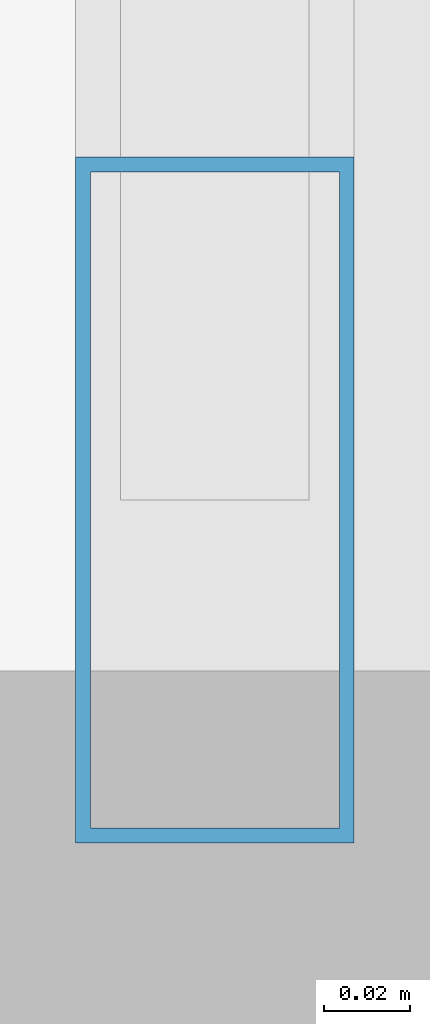
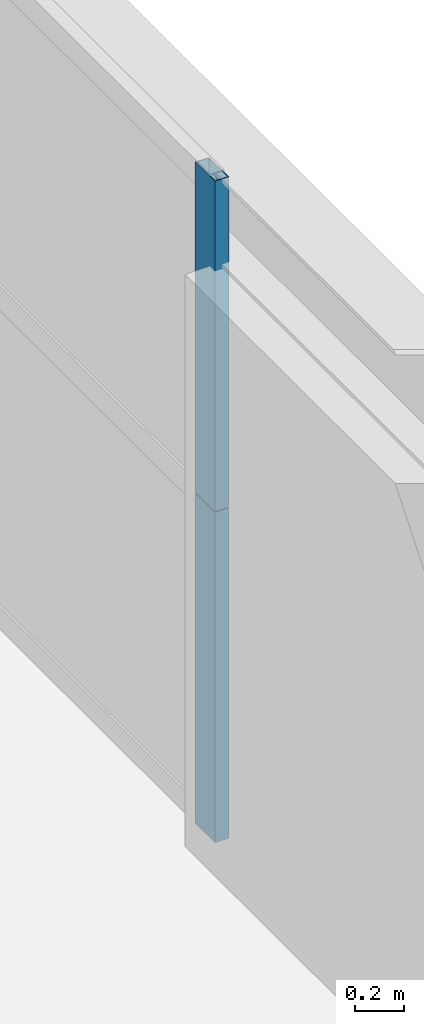
# One storey, part 15 of 35: 2 members, 1 element without a shape of its own.
"""IFC4 building model written with IfcOpenShell, lengths in metres."""

from ifc_helpers import new_model, si_unit, direction, frame, origin, origin_2d, place, context, subcontext, project, spatial, hollow_rectangle, extrude, source, transform, mapped, material, layer, layer_set, material_profile, profile_set, type_object, element, aggregate, save


model = new_model("IFC4")

# Units and contexts
model_context = context("Model", 3, precision=1e-05, world=origin(), true_north=direction((0.0, 1.0)))
body_context = subcontext(model_context, "Body", "Model", "MODEL_VIEW")
ifc_project = project(units=[si_unit("LENGTHUNIT", "METRE"), si_unit("AREAUNIT", "SQUARE_METRE"), si_unit("VOLUMEUNIT", "CUBIC_METRE"), si_unit("PLANEANGLEUNIT", "RADIAN"), si_unit("MASSUNIT", "GRAM", prefix="KILO"), si_unit("THERMODYNAMICTEMPERATUREUNIT", "KELVIN"), si_unit("POWERUNIT", "WATT")], contexts=[model_context])

# Site, building, storey
site_placement = place(None, origin())
site = spatial("IfcSite", under=ifc_project, at=site_placement, CompositionType="ELEMENT")
building_placement = place(site_placement, origin())
building = spatial("IfcBuilding", under=site, at=building_placement, Name="Yuzanri Waterfront Tower", CompositionType="ELEMENT")
storey_placement = place(building_placement, frame((0.0, 0.0, 248.60009765625)))
storey = spatial("IfcBuildingStorey", under=building, at=storey_placement, Name="L66", CompositionType="ELEMENT", Elevation=248.60009765625)

# Curtain wall, members
ifc_material_1 = material(Name="Anodized Architectural Bronze", Category="metal")
ifc_layer = layer(ifc_material_1, 0.159912109375)
ifc_layer_set = layer_set([ifc_layer], Name="Anodized Architectural Bronze")
curtain_wall_type = type_object("IfcCurtainWallType", Name="Anodized Bronze Mid-Rise Residential Acoustic Unitized Curtain Wall 7200", PredefinedType="NOTDEFINED", material=ifc_layer_set)
curtain_wall_placement = place(storey_placement, origin())
curtain_wall = element("IfcCurtainWall", 1, at=curtain_wall_placement, inside=storey, type_object=curtain_wall_type, Name="L66 Curtain Wall CW-L66-EL1", PredefinedType="NOTDEFINED")
ifc_material_2 = material(Name="Anodized Architectural Bronze", Category="metal")
ifc_material_profile = material_profile(ifc_material_2, hollow_rectangle(XDim=0.06494140625, YDim=0.159912109375, WallThickness=0.00341796875, at=origin_2d()), Name="CWM 65x160")
ifc_profile_set = profile_set([ifc_material_profile], Name="Anodized Architectural Bronze")
member_type = type_object("IfcMemberType", Name="Anodized Bronze Upper-Zone Curtain-Wall Mullion 65x160", PredefinedType="MULLION", material=ifc_profile_set)
shared_shape = source(origin(), body_context, "Body", "SweptSolid", [
    extrude(hollow_rectangle(XDim=0.06494140625, YDim=0.159912109375, WallThickness=0.00341796875, at=origin_2d()), origin(), (0.0, 0.0, 1.0), 1.637939453125),
])
member_1_placement = place(storey_placement, frame((57.449951171875, 12.590087890625, 0.0), z_axis=(0.0, 0.0, 1.0), x_axis=(1.0, 0.0, 0.0)))
member_1 = element("IfcMember", 2, at=member_1_placement, type_object=member_type, Name="CW-L66-EL1 Lower Mullion 00", PredefinedType="MULLION", context=body_context, shape_type="MappedRepresentation", body=[
    mapped(shared_shape, transform((0.0, 0.0, 0.0), scale=1.0)),
])
member_2_placement = place(storey_placement, frame((57.449951171875, 12.590087890625, 1.641845703125), z_axis=(0.0, 0.0, 1.0), x_axis=(1.0, 0.0, 0.0)))
member_2 = element("IfcMember", 3, at=member_2_placement, type_object=member_type, Name="CW-L66-EL1 Upper Mullion 00", PredefinedType="MULLION", context=body_context, shape_type="MappedRepresentation", body=[
    mapped(shared_shape, transform((0.0, 0.0, 0.0), scale=1.0)),
])
aggregate(curtain_wall, [member_1, member_2])

save(model, "model.ifc")
